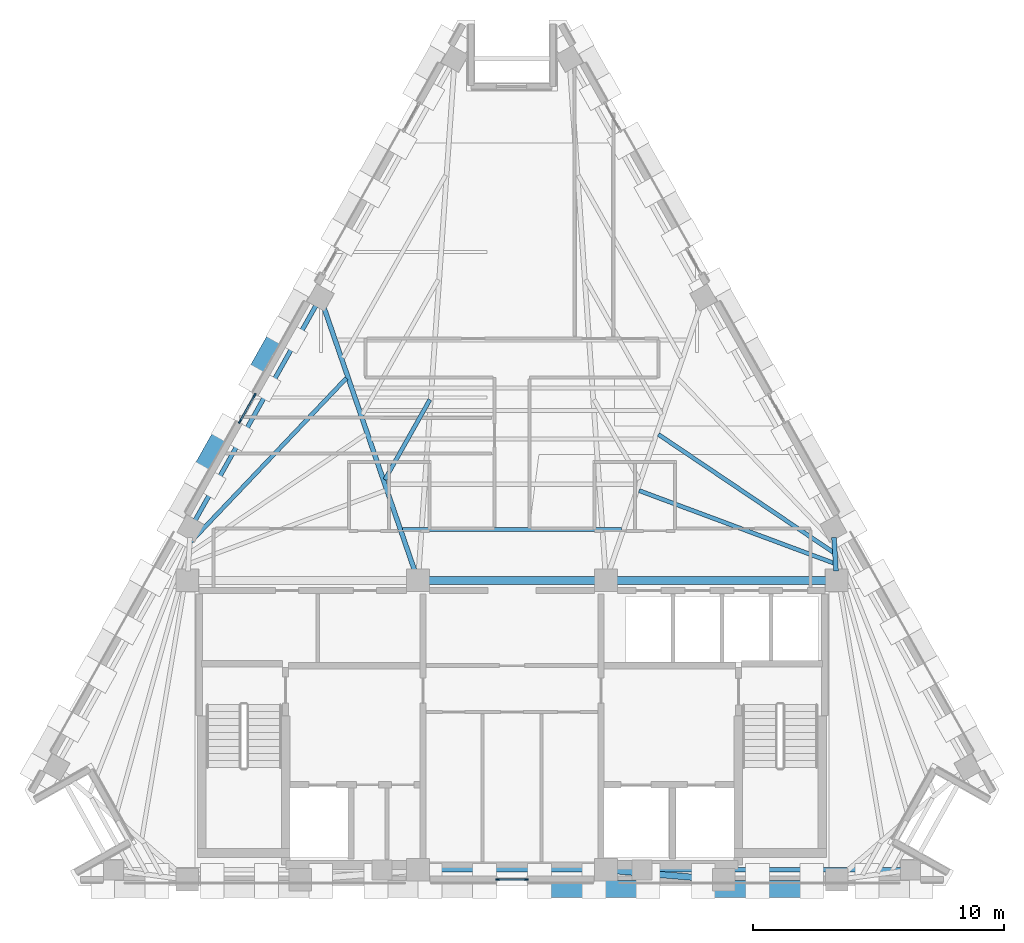
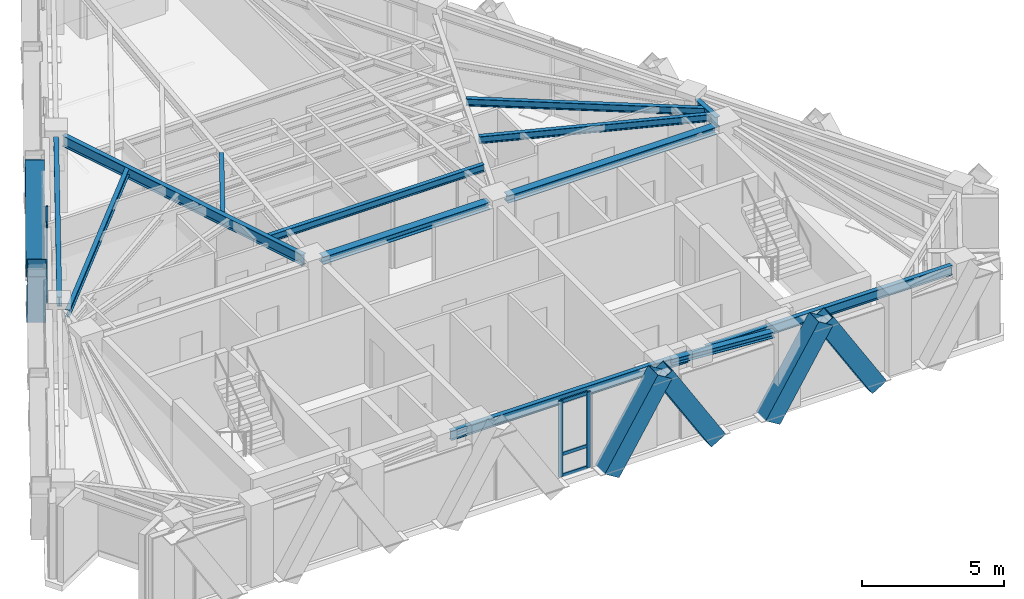
# One storey, part 2 of 9: 16 members, 13 beams, 2 elements without a shape of their own.
"""IFC4 building model written with IfcOpenShell, lengths in metres."""

from ifc_helpers import new_model, si_unit, direction, frame, origin, origin_2d, place, context, subcontext, project, spatial, rectangle, hollow_rectangle, i_section, extrude, material, material_profile, profile_set, type_object, element, aggregate, save


model = new_model("IFC4")

# Units and contexts
model_context = context("Model", 3, precision=1e-05, world=origin(), true_north=direction((0.0, 1.0)))
body_context = subcontext(model_context, "Body", "Model", "MODEL_VIEW")
ifc_project = project(units=[si_unit("LENGTHUNIT", "METRE"), si_unit("AREAUNIT", "SQUARE_METRE"), si_unit("VOLUMEUNIT", "CUBIC_METRE"), si_unit("PLANEANGLEUNIT", "RADIAN"), si_unit("MASSUNIT", "GRAM", prefix="KILO")], contexts=[model_context])

# Site, building, storey
site_placement = place(None, origin())
site = spatial("IfcSite", under=ifc_project, at=site_placement, CompositionType="ELEMENT")
building_placement = place(site_placement, origin())
building = spatial("IfcBuilding", under=site, at=building_placement, Name="Quenlor Broadcast Tower", CompositionType="ELEMENT")
storey_placement = place(building_placement, frame((0.0, 0.0, 256.89990234375)))
storey = spatial("IfcBuildingStorey", under=building, at=storey_placement, Name="L71", CompositionType="ELEMENT", Elevation=256.89990234375)

# Curtain wall, members
ifc_material_1 = material(Name="Architectural Terracotta and Low-E Glazing", Category="masonry")
curtain_wall_type = type_object("IfcCurtainWallType", Name="Unitised Terracotta Curtain Wall System Z5", PredefinedType="NOTDEFINED", material=ifc_material_1)
curtain_wall_1_placement = place(storey_placement, origin())
curtain_wall_1 = element("IfcCurtainWall", 1, at=curtain_wall_1_placement, inside=storey, type_object=curtain_wall_type, Name="L71 Curtain Wall CW5 (L71-S-G1)", PredefinedType="NOTDEFINED")
ifc_material_2 = material(Name="Aluminium 6063-T6", Category="aluminium")
ifc_material_profile_1 = material_profile(ifc_material_2, rectangle(XDim=0.06494140625, YDim=0.169921875, at=origin_2d()))
ifc_profile_set_1 = profile_set([ifc_material_profile_1], Name="Aluminium 6063-T6 MULL65x170")
member_type_1 = type_object("IfcMemberType", Name="CW5 Aluminium Mullion MULL_CW5", PredefinedType="MULLION", material=ifc_profile_set_1)
member_1_placement = place(storey_placement, frame((0.5732421875, -16.72509765625, 0.0), z_axis=(0.0, 0.0, 1.0), x_axis=(0.0, -1.0, 0.0)))
member_1 = element("IfcMember", 2, at=member_1_placement, type_object=member_type_1, Name="CW5 mullion 1", PredefinedType="MULLION", context=body_context, shape_type="SweptSolid", body=[
    extrude(rectangle(XDim=0.06494140625, YDim=0.169921875, at=origin_2d()), origin(), (0.0, 0.0, 1.0), 3.25),
])
member_2_placement = place(storey_placement, frame((-0.5732421875, -16.72509765625, 0.0), z_axis=(0.0, 0.0, 1.0), x_axis=(0.0, -1.0, 0.0)))
member_2 = element("IfcMember", 3, at=member_2_placement, type_object=member_type_1, Name="CW5 mullion 2", PredefinedType="MULLION", context=body_context, shape_type="SweptSolid", body=[
    extrude(rectangle(XDim=0.06494140625, YDim=0.169921875, at=origin_2d()), origin(), (0.0, 0.0, 1.0), 3.25),
])

curtain_wall_2_placement = place(storey_placement, origin())
curtain_wall_2 = element("IfcCurtainWall", 4, at=curtain_wall_2_placement, inside=storey, type_object=curtain_wall_type, Name="L71 Curtain Wall CW5 (L71-NW-G1)", PredefinedType="NOTDEFINED")
member_3_placement = place(storey_placement, frame((-10.853271484375, 1.54443359375, 0.0), z_axis=(0.0, 0.0, 1.0), x_axis=(-0.871592489955, 0.490231100048, 0.0)))
member_3 = element("IfcMember", 5, at=member_3_placement, type_object=member_type_1, Name="CW5 mullion 1", PredefinedType="MULLION", context=body_context, shape_type="SweptSolid", body=[
    extrude(rectangle(XDim=0.06494140625, YDim=0.169921875, at=origin_2d()), origin(), (0.0, 0.0, 1.0), 3.25),
])
member_4_placement = place(storey_placement, frame((-10.267333984375, 2.586181640625, 0.0), z_axis=(0.0, 0.0, 1.0), x_axis=(-0.871592489955, 0.490231100048, 0.0)))
member_4 = element("IfcMember", 6, at=member_4_placement, type_object=member_type_1, Name="CW5 mullion 2", PredefinedType="MULLION", context=body_context, shape_type="SweptSolid", body=[
    extrude(rectangle(XDim=0.06494140625, YDim=0.169921875, at=origin_2d()), origin(), (0.0, 0.0, 1.0), 3.25),
])

# Member
ifc_material_3 = material(Name="Aluminium 6063-T6", Category="aluminium")
ifc_material_profile_2 = material_profile(ifc_material_3, rectangle(XDim=0.06494140625, YDim=0.139892578125, at=origin_2d()))
ifc_profile_set_2 = profile_set([ifc_material_profile_2], Name="Aluminium 6063-T6 TRAN65x140")
member_type_2 = type_object("IfcMemberType", Name="CW5 Aluminium Transom TRAN_CW5", PredefinedType="USERDEFINED", material=ifc_profile_set_2)
member_5_placement = place(storey_placement, frame((0.540771484375, -16.72509765625, 0.03271484375), z_axis=(-1.0, 0.0, 0.0), x_axis=(0.0, -1.0, 0.0)))
member_5 = element("IfcMember", 7, at=member_5_placement, type_object=member_type_2, Name="CW5 transom 1.1", ObjectType="TRANSOM", PredefinedType="USERDEFINED", context=body_context, shape_type="SweptSolid", body=[
    extrude(rectangle(XDim=0.06494140625, YDim=0.139892578125, at=origin_2d()), origin(), (0.0, 0.0, 1.0), 1.08154296875),
])

member_6_placement = place(storey_placement, frame((0.540771484375, -16.72509765625, 0.9501953125), z_axis=(-1.0, 0.0, 0.0), x_axis=(0.0, -1.0, 0.0)))
member_6 = element("IfcMember", 8, at=member_6_placement, type_object=member_type_2, Name="CW5 transom 1.2", ObjectType="TRANSOM", PredefinedType="USERDEFINED", context=body_context, shape_type="SweptSolid", body=[
    extrude(rectangle(XDim=0.06494140625, YDim=0.139892578125, at=origin_2d()), origin(), (0.0, 0.0, 1.0), 1.08154296875),
])

member_7_placement = place(storey_placement, frame((0.540771484375, -16.72509765625, 3.217529296875), z_axis=(-1.0, 0.0, 0.0), x_axis=(0.0, -1.0, 0.0)))
member_7 = element("IfcMember", 9, at=member_7_placement, type_object=member_type_2, Name="CW5 transom 1.3", ObjectType="TRANSOM", PredefinedType="USERDEFINED", context=body_context, shape_type="SweptSolid", body=[
    extrude(rectangle(XDim=0.06494140625, YDim=0.139892578125, at=origin_2d()), origin(), (0.0, 0.0, 1.0), 1.08154296875),
])

aggregate(curtain_wall_1, [member_1, member_2, member_5, member_6, member_7])

member_8_placement = place(storey_placement, frame((-10.83740234375, 1.57275390625, 0.03271484375), z_axis=(0.490312513966, 0.871546693327, 0.0), x_axis=(-0.871546693327, 0.490312513966, 0.0)))
member_8 = element("IfcMember", 10, at=member_8_placement, type_object=member_type_2, Name="CW5 transom 1.1", ObjectType="TRANSOM", PredefinedType="USERDEFINED", context=body_context, shape_type="SweptSolid", body=[
    extrude(rectangle(XDim=0.06494140625, YDim=0.139892578125, at=origin_2d()), origin(), (0.0, 0.0, 1.0), 1.13037109375),
])

member_9_placement = place(storey_placement, frame((-10.83740234375, 1.57275390625, 0.9501953125), z_axis=(0.490312513966, 0.871546693327, 0.0), x_axis=(-0.871546693327, 0.490312513966, 0.0)))
member_9 = element("IfcMember", 11, at=member_9_placement, type_object=member_type_2, Name="CW5 transom 1.2", ObjectType="TRANSOM", PredefinedType="USERDEFINED", context=body_context, shape_type="SweptSolid", body=[
    extrude(rectangle(XDim=0.06494140625, YDim=0.139892578125, at=origin_2d()), origin(), (0.0, 0.0, 1.0), 1.13037109375),
])

member_10_placement = place(storey_placement, frame((-10.83740234375, 1.57275390625, 3.217529296875), z_axis=(0.490312513966, 0.871546693327, 0.0), x_axis=(-0.871546693327, 0.490312513966, 0.0)))
member_10 = element("IfcMember", 12, at=member_10_placement, type_object=member_type_2, Name="CW5 transom 1.3", ObjectType="TRANSOM", PredefinedType="USERDEFINED", context=body_context, shape_type="SweptSolid", body=[
    extrude(rectangle(XDim=0.06494140625, YDim=0.139892578125, at=origin_2d()), origin(), (0.0, 0.0, 1.0), 1.13037109375),
])

aggregate(curtain_wall_2, [member_3, member_4, member_8, member_9, member_10])

# Beams
ifc_material_4 = material(Name="Steel S355", Category="steel")
ifc_material_profile_3 = material_profile(ifc_material_4, i_section(OverallWidth=0.304931640625, OverallDepth=0.30810546875, WebThickness=0.010009765625, FlangeThickness=0.015380859375, FilletRadius=0.0166015625, at=origin_2d()))
ifc_profile_set_3 = profile_set([ifc_material_profile_3], Name="Steel S355 310UC96.8")
beam_type_1 = type_object("IfcBeamType", Name="Core Header Beam Steel S355 310UC96.8", PredefinedType="BEAM", material=ifc_profile_set_3)
beam_1_placement = place(storey_placement, frame((-3.389892578125, -4.800048828125, 3.09619140625), z_axis=(1.0, 0.0, 0.0), x_axis=(0.0, 1.0, 0.0)))
element("IfcBeam", 13, at=beam_1_placement, inside=storey, type_object=beam_type_1, Name="L71 Core Header Beam 2", PredefinedType="BEAM", context=body_context, shape_type="SweptSolid", body=[
    extrude(i_section(OverallWidth=0.304931640625, OverallDepth=0.30810546875, WebThickness=0.010009765625, FlangeThickness=0.015380859375, FilletRadius=0.0166015625, at=origin_2d()), origin(), (0.0, 0.0, 1.0), 6.77978515625),
])
ifc_material_5 = material(Name="Steel S355", Category="steel")
ifc_material_profile_4 = material_profile(ifc_material_5, i_section(OverallWidth=0.25390625, OverallDepth=0.25390625, WebThickness=0.008544921875, FlangeThickness=0.01416015625, FilletRadius=0.013916015625, at=origin_2d()))
ifc_profile_set_4 = profile_set([ifc_material_profile_4], Name="Steel S355 250UC72.9")
beam_type_2 = type_object("IfcBeamType", Name="Core Opening Lintel Beam Steel S355 250UC72.9", PredefinedType="LINTEL", material=ifc_profile_set_4)
beam_2_placement = place(storey_placement, frame((4.108642578125, -16.380615234375, 3.123291015625), z_axis=(0.996399763903, -0.084779186679, 0.0), x_axis=(0.084779186679, 0.996399763903, 0.0)))
element("IfcBeam", 14, at=beam_2_placement, inside=storey, type_object=beam_type_2, Name="L71 Core Opening Lintel Beam 5", PredefinedType="LINTEL", context=body_context, shape_type="SweptSolid", body=[
    extrude(i_section(OverallWidth=0.25390625, OverallDepth=0.25390625, WebThickness=0.008544921875, FlangeThickness=0.01416015625, FilletRadius=0.013916015625, at=origin_2d()), origin(), (0.0, 0.0, 1.0), 3.9970703125),
])
ifc_material_6 = material(Name="Steel S355", Category="steel")
ifc_material_profile_5 = material_profile(ifc_material_6, i_section(OverallWidth=0.306884765625, OverallDepth=0.314697265625, WebThickness=0.011962890625, FlangeThickness=0.018798828125, FilletRadius=0.0166015625, at=origin_2d()))
ifc_profile_set_5 = profile_set([ifc_material_profile_5], Name="Steel S355 310UC118")
beam_type_3 = type_object("IfcBeamType", Name="Core Tie Beam Steel S355 310UC118", PredefinedType="BEAM", material=ifc_profile_set_5)
beam_3_placement = place(storey_placement, frame((4.110107421875, -4.800048828125, 3.0927734375), z_axis=(1.0, 0.0, 0.0), x_axis=(0.0, 1.0, 0.0)))
element("IfcBeam", 15, at=beam_3_placement, inside=storey, type_object=beam_type_3, Name="L71 Core Tie Beam 3", PredefinedType="BEAM", context=body_context, shape_type="SweptSolid", body=[
    extrude(i_section(OverallWidth=0.306884765625, OverallDepth=0.314697265625, WebThickness=0.011962890625, FlangeThickness=0.018798828125, FilletRadius=0.0166015625, at=origin_2d()), origin(), (0.0, 0.0, 1.0), 8.47998046875),
])

# Members
ifc_material_7 = material(Name="Steel S355", Category="steel")
ifc_material_profile_6 = material_profile(ifc_material_7, hollow_rectangle(XDim=0.679931640625, YDim=0.679931640625, WallThickness=0.02001953125, at=origin_2d()))
ifc_profile_set_6 = profile_set([ifc_material_profile_6], Name="Steel S355 RHS680x680x20")
member_type_3 = type_object("IfcMemberType", Name="Perimeter Diagonal Lattice Brace Z5-Crown Steel S355 RHS680x20", PredefinedType="BRACE", material=ifc_profile_set_6)
for number, where, z_axis, x_axis, name in (
    (16, (11.96240234375, -17.1201171875, -0.119873046875), (-0.5236596973, 0.0, 0.851927532965), (0.0, -1.0, 0.0), "L71 Perimeter Diamond Lattice S-C1S"),
    (17, (5.430419921875, -17.1201171875, -0.119873046875), (-0.5236596973, 0.0, 0.851927532965), (0.0, -1.0, 0.0), "L71 Perimeter Diamond Lattice S-C2S"),
):
    element("IfcMember", number, at=place(storey_placement, frame(where, z_axis=z_axis, x_axis=x_axis)), inside=storey, type_object=member_type_3, Name=name, PredefinedType="BRACE", context=body_context, shape_type="SweptSolid", body=[
        extrude(hollow_rectangle(XDim=0.679931640625, YDim=0.679931640625, WallThickness=0.02001953125, at=origin_2d()), origin(), (0.0, 0.0, 1.0), 4.1083984375),
    ])
for number, where, z_axis, x_axis, name in (
    (18, (7.6337890625, -17.1201171875, -0.119873046875), (0.523616565236, 0.0, 0.85195404372), (0.0, 1.0, 0.0), "L71 Perimeter Diamond Lattice S-C2B"),
    (19, (1.101806640625, -17.1201171875, -0.119873046875), (0.523616565236, 0.0, 0.85195404372), (0.0, 1.0, 0.0), "L71 Perimeter Diamond Lattice S-C3B"),
):
    element("IfcMember", number, at=place(storey_placement, frame(where, z_axis=z_axis, x_axis=x_axis)), inside=storey, type_object=member_type_3, Name=name, PredefinedType="BRACE", context=body_context, shape_type="SweptSolid", body=[
        extrude(hollow_rectangle(XDim=0.679931640625, YDim=0.679931640625, WallThickness=0.02001953125, at=origin_2d()), origin(), (0.0, 0.0, 1.0), 4.108154296875),
    ])
for number, where, z_axis, x_axis, name in (
    (20, (-10.35302734375, 3.2392578125, -0.119873046875), (0.260563732169, 0.463283497491, 0.847038926161), (-0.871602253711, 0.49021374045, 0.0), "L71 Perimeter Diamond Lattice NW-C3S"),
    (21, (-11.4560546875, 1.2783203125, -0.119873046875), (-0.260618804175, -0.463276364439, 0.847025884529), (0.8715547569, -0.490298180422, 0.0), "L71 Perimeter Diamond Lattice NW-C3B"),
):
    element("IfcMember", number, at=place(storey_placement, frame(where, z_axis=z_axis, x_axis=x_axis)), inside=storey, type_object=member_type_3, Name=name, PredefinedType="BRACE", context=body_context, shape_type="SweptSolid", body=[
        extrude(hollow_rectangle(XDim=0.679931640625, YDim=0.679931640625, WallThickness=0.02001953125, at=origin_2d()), origin(), (0.0, 0.0, 1.0), 4.132080078125),
    ])

# Beams
ifc_material_8 = material(Name="Steel S355", Category="steel")
ifc_material_profile_7 = material_profile(ifc_material_8, i_section(OverallWidth=0.177978515625, OverallDepth=0.406494140625, WebThickness=0.0078125, FlangeThickness=0.0126953125, FilletRadius=0.011474609375, at=origin_2d()))
ifc_profile_set_7 = profile_set([ifc_material_profile_7], Name="Steel S355 410UB59.7")
beam_type_4 = type_object("IfcBeamType", Name="Perimeter Spandrel Beam Z5 Steel S355 410UB59.7", PredefinedType="SPANDREL", material=ifc_profile_set_7)
beam_4_placement = place(storey_placement, frame((-4.823974609375, -16.35009765625, 3.046875), z_axis=(1.0, 0.0, 0.0), x_axis=(0.0, 1.0, 0.0)))
element("IfcBeam", 22, at=beam_4_placement, inside=storey, type_object=beam_type_4, Name="L71 Spandrel Beam S2-S3", PredefinedType="SPANDREL", context=body_context, shape_type="SweptSolid", body=[
    extrude(i_section(OverallWidth=0.177978515625, OverallDepth=0.406494140625, WebThickness=0.0078125, FlangeThickness=0.0126953125, FilletRadius=0.011474609375, at=origin_2d()), origin(), (0.0, 0.0, 1.0), 9.64794921875),
])
beam_5_placement = place(storey_placement, frame((5.5439453125, -16.35009765625, 3.046875), z_axis=(1.0, 0.0, 0.0), x_axis=(0.0, 1.0, 0.0)))
element("IfcBeam", 23, at=beam_5_placement, inside=storey, type_object=beam_type_4, Name="L71 Spandrel Beam S3-S4", PredefinedType="SPANDREL", context=body_context, shape_type="SweptSolid", body=[
    extrude(i_section(OverallWidth=0.177978515625, OverallDepth=0.406494140625, WebThickness=0.0078125, FlangeThickness=0.0126953125, FilletRadius=0.011474609375, at=origin_2d()), origin(), (0.0, 0.0, 1.0), 9.99365234375),
])
beam_6_placement = place(storey_placement, frame((-7.818115234375, 6.175537109375, 3.046875), z_axis=(-0.49024947634, -0.871582153872, 0.0), x_axis=(0.871582153872, -0.49024947634, 0.0)))
element("IfcBeam", 24, at=beam_6_placement, inside=storey, type_object=beam_type_4, Name="L71 Spandrel Beam NW2-NW3", PredefinedType="SPANDREL", context=body_context, shape_type="SweptSolid", body=[
    extrude(i_section(OverallWidth=0.177978515625, OverallDepth=0.406494140625, WebThickness=0.0078125, FlangeThickness=0.0126953125, FilletRadius=0.011474609375, at=origin_2d()), origin(), (0.0, 0.0, 1.0), 9.853759765625),
])
ifc_material_9 = material(Name="Steel S355", Category="steel")
ifc_material_profile_8 = material_profile(ifc_material_9, i_section(OverallWidth=0.166015625, OverallDepth=0.30712890625, WebThickness=0.006591796875, FlangeThickness=0.01171875, FilletRadius=0.011474609375, at=origin_2d()))
ifc_profile_set_8 = profile_set([ifc_material_profile_8], Name="Steel S355 310UB46.2")
beam_type_5 = type_object("IfcBeamType", Name="Tower Composite Joist Z4-Z5 Steel S355 310UB46.2", PredefinedType="JOIST", material=ifc_profile_set_8)
beam_7_placement = place(storey_placement, frame((-4.37060546875, -2.767822265625, 3.096435546875), z_axis=(1.0, 0.0, 0.0), x_axis=(0.0, 1.0, 0.0)))
element("IfcBeam", 25, at=beam_7_placement, inside=storey, type_object=beam_type_5, Name="L71 Secondary Composite Joist 1", PredefinedType="JOIST", context=body_context, shape_type="SweptSolid", body=[
    extrude(i_section(OverallWidth=0.166015625, OverallDepth=0.30712890625, WebThickness=0.006591796875, FlangeThickness=0.01171875, FilletRadius=0.011474609375, at=origin_2d()), origin(), (0.0, 0.0, 1.0), 8.7412109375),
])
beam_8_placement = place(storey_placement, frame((-12.80517578125, -3.249267578125, 3.096435546875), z_axis=(0.689023306429, 0.724739182877, 0.0), x_axis=(-0.724739182877, 0.689023306429, 0.0)))
element("IfcBeam", 26, at=beam_8_placement, inside=storey, type_object=beam_type_5, Name="L71 Secondary Composite Joist 9", PredefinedType="JOIST", context=body_context, shape_type="SweptSolid", body=[
    extrude(i_section(OverallWidth=0.166015625, OverallDepth=0.30712890625, WebThickness=0.006591796875, FlangeThickness=0.01171875, FilletRadius=0.011474609375, at=origin_2d()), origin(), (0.0, 0.0, 1.0), 8.99560546875),
])
beam_9_placement = place(storey_placement, frame((12.835205078125, -4.108642578125, 3.096435546875), z_axis=(-0.937062080226, 0.349162795559, 0.0), x_axis=(-0.349162795559, -0.937062080226, 0.0)))
element("IfcBeam", 27, at=beam_9_placement, inside=storey, type_object=beam_type_5, Name="L71 Secondary Composite Joist 10", PredefinedType="JOIST", context=body_context, shape_type="SweptSolid", body=[
    extrude(i_section(OverallWidth=0.166015625, OverallDepth=0.30712890625, WebThickness=0.006591796875, FlangeThickness=0.01171875, FilletRadius=0.011474609375, at=origin_2d()), origin(), (0.0, 0.0, 1.0), 8.286376953125),
])
beam_10_placement = place(storey_placement, frame((12.81884765625, -3.67724609375, 3.096435546875), z_axis=(-0.829286301475, 0.558823970661, 0.0), x_axis=(-0.558823970661, -0.829286301475, 0.0)))
element("IfcBeam", 28, at=beam_10_placement, inside=storey, type_object=beam_type_5, Name="L71 Secondary Composite Joist 11", PredefinedType="JOIST", context=body_context, shape_type="SweptSolid", body=[
    extrude(i_section(OverallWidth=0.166015625, OverallDepth=0.30712890625, WebThickness=0.006591796875, FlangeThickness=0.01171875, FilletRadius=0.011474609375, at=origin_2d()), origin(), (0.0, 0.0, 1.0), 8.415771484375),
])
beam_11_placement = place(storey_placement, frame((-3.2763671875, 2.41455078125, 3.096435546875), z_axis=(-0.490258076222, -0.871577316535, 0.0), x_axis=(0.871577316535, -0.490258076222, 0.0)))
element("IfcBeam", 29, at=beam_11_placement, inside=storey, type_object=beam_type_5, Name="L71 Secondary Composite Joist 25", PredefinedType="JOIST", context=body_context, shape_type="SweptSolid", body=[
    extrude(i_section(OverallWidth=0.166015625, OverallDepth=0.30712890625, WebThickness=0.006591796875, FlangeThickness=0.01171875, FilletRadius=0.011474609375, at=origin_2d()), origin(), (0.0, 0.0, 1.0), 3.6640625),
])
ifc_material_10 = material(Name="Steel S355", Category="steel")
ifc_material_profile_9 = material_profile(ifc_material_10, i_section(OverallWidth=0.19091796875, OverallDepth=0.46044921875, WebThickness=0.010009765625, FlangeThickness=0.01611328125, FilletRadius=0.011474609375, at=origin_2d()))
ifc_profile_set_9 = profile_set([ifc_material_profile_9], Name="Steel S355 460UB82.1")
beam_type_6 = type_object("IfcBeamType", Name="Tower Primary Floor Beam Z5 Steel S355 460UB82.1", PredefinedType="BEAM", material=ifc_profile_set_9)
beam_12_placement = place(storey_placement, frame((12.84716796875, -3.086181640625, 3.02001953125), z_axis=(0.059899569349, -0.998204408722, 0.0), x_axis=(0.998204408722, 0.059899569349, 0.0)))
element("IfcBeam", 30, at=beam_12_placement, inside=storey, type_object=beam_type_6, Name="L71 Primary Radial Beam NE2", PredefinedType="BEAM", context=body_context, shape_type="SweptSolid", body=[
    extrude(i_section(OverallWidth=0.19091796875, OverallDepth=0.46044921875, WebThickness=0.010009765625, FlangeThickness=0.01611328125, FilletRadius=0.011474609375, at=origin_2d()), origin(), (0.0, 0.0, 1.0), 1.3369140625),
])
beam_13_placement = place(storey_placement, frame((-7.524169921875, 6.14892578125, 3.02001953125), z_axis=(0.325895297662, -0.945405867848, 0.0), x_axis=(0.945405867848, 0.325895297662, 0.0)))
element("IfcBeam", 31, at=beam_13_placement, inside=storey, type_object=beam_type_6, Name="L71 Primary Radial Beam NW2", PredefinedType="BEAM", context=body_context, shape_type="SweptSolid", body=[
    extrude(i_section(OverallWidth=0.19091796875, OverallDepth=0.46044921875, WebThickness=0.010009765625, FlangeThickness=0.01611328125, FilletRadius=0.011474609375, at=origin_2d()), origin(), (0.0, 0.0, 1.0), 11.201171875),
])

save(model, "model.ifc")
